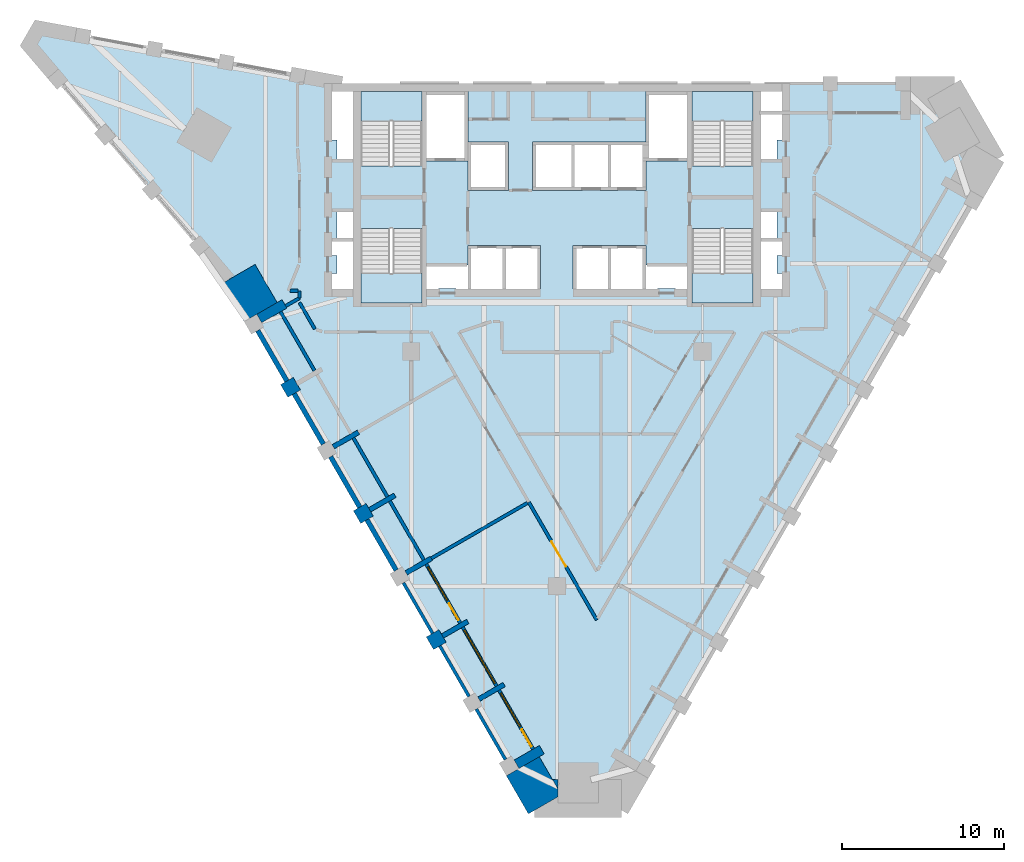
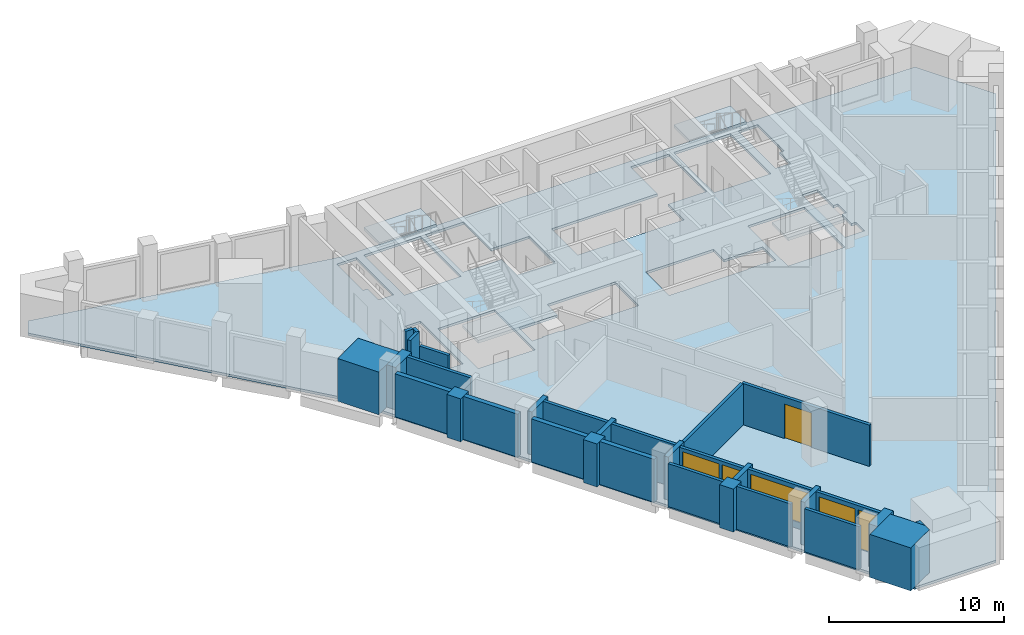
# One storey, part 2 of 9: 32 walls, 5 slabs, 3 doors, 3 windows, 6 openings, 4 elements without a shape of their own.
"""IFC4 building model written with IfcOpenShell, lengths in metres."""

from ifc_helpers import new_model, si_unit, direction, frame, frame_2d, origin, place, context, subcontext, project, spatial, polyline, rectangle, outline, extrude, material, layer, layer_set, type_object, element, fill, aggregate, save


model = new_model("IFC4")

# Units and contexts
model_context = context("Model", 3, precision=1e-05, world=origin(), true_north=direction((0.0, 1.0)))
body_context = subcontext(model_context, "Body", "Model", "MODEL_VIEW")
ifc_project = project(units=[si_unit("LENGTHUNIT", "METRE"), si_unit("AREAUNIT", "SQUARE_METRE"), si_unit("VOLUMEUNIT", "CUBIC_METRE"), si_unit("PLANEANGLEUNIT", "RADIAN"), si_unit("MASSUNIT", "GRAM", prefix="KILO")], contexts=[model_context])

# Site, building, storey
site_placement = place(None, origin())
site = spatial("IfcSite", under=ifc_project, at=site_placement, CompositionType="ELEMENT")
building_placement = place(site_placement, origin())
building = spatial("IfcBuilding", under=site, at=building_placement, Name="Calabash Gate Tower", CompositionType="ELEMENT")
storey_placement = place(building_placement, frame((0.0, 0.0, 200.300048828125)))
storey = spatial("IfcBuildingStorey", under=building, at=storey_placement, Name="L47", CompositionType="ELEMENT", Elevation=200.300048828125)

# Slab
ifc_material_1 = material(Name="Concrete C40/50", Category="concrete")
ifc_layer_1 = layer(ifc_material_1, 0.169921875)
ifc_layer_set_1 = layer_set([ifc_layer_1], Name="Composite floor slab 170 Concrete C40/50")
slab_type_1 = type_object("IfcSlabType", Name="Composite floor slab 170 Concrete C40/50", PredefinedType="FLOOR", material=ifc_layer_set_1)
slab_1_placement = place(storey_placement, frame((0.0, 0.0, -0.170166015625)))
element("IfcSlab", 1, at=slab_1_placement, inside=storey, type_object=slab_type_1, Name="Floor slab L47", PredefinedType="FLOOR", context=body_context, shape_type="SweptSolid", body=[
    extrude(outline(polyline([(3.99267578125, -25.83984375), (-1.372314453125, -25.83984375), (-20.291015625, 6.92822265625), (-32.620361328125, 21.43115234375), (-32.015625, 22.478515625), (-13.291015625, 19.052490234375), (24.54638671875, 19.052490234375), (27.22900390625, 14.40625), (3.99267578125, -25.83984375)]), holes=[polyline([(-7.324951171875, 6.3525390625), (-7.324951171875, 6.402587890625), (-6.22509765625, 6.402587890625), (-6.22509765625, 6.3525390625), (-5.5, 6.3525390625), (-3.25, 6.3525390625), (-1.0, 6.3525390625), (-1.0, 9.052490234375), (-3.25, 9.052490234375), (-5.5, 9.052490234375), (-5.5, 7.8525390625), (-8.050048828125, 7.8525390625), (-8.050048828125, 6.3525390625), (-7.324951171875, 6.3525390625)]), polyline([(8.050048828125, 6.3525390625), (8.050048828125, 7.8525390625), (5.5, 7.8525390625), (5.5, 9.052490234375), (3.25, 9.052490234375), (1.0, 9.052490234375), (1.0, 6.3525390625), (3.25, 6.3525390625), (5.5, 6.3525390625), (6.22509765625, 6.3525390625), (6.22509765625, 6.402587890625), (7.324951171875, 6.402587890625), (7.324951171875, 6.3525390625), (8.050048828125, 6.3525390625)]), polyline([(-8.050048828125, 18.552490234375), (-8.050048828125, 14.252685546875), (-5.5, 14.252685546875), (-5.5, 12.45263671875), (-3.0, 12.45263671875), (-3.0, 15.45263671875), (-5.5, 15.45263671875), (-5.5, 18.552490234375), (-8.050048828125, 18.552490234375)]), polyline([(5.5, 14.252685546875), (8.050048828125, 14.252685546875), (8.050048828125, 18.552490234375), (5.5, 18.552490234375), (5.5, 15.45263671875), (3.25, 15.45263671875), (1.0, 15.45263671875), (-1.5, 15.45263671875), (-1.5, 12.45263671875), (1.0, 12.45263671875), (3.25, 12.45263671875), (5.5, 12.45263671875), (5.5, 14.252685546875)]), polyline([(-12.10009765625, 13.95263671875), (-8.35009765625, 13.95263671875), (-8.35009765625, 18.552490234375), (-12.10009765625, 18.552490234375), (-12.10009765625, 13.95263671875)]), polyline([(-8.35009765625, 5.502685546875), (-8.35009765625, 10.1025390625), (-12.10009765625, 10.1025390625), (-12.10009765625, 5.502685546875), (-8.35009765625, 5.502685546875)]), polyline([(12.10009765625, 18.552490234375), (8.35009765625, 18.552490234375), (8.35009765625, 13.95263671875), (12.10009765625, 13.95263671875), (12.10009765625, 18.552490234375)]), polyline([(8.35009765625, 10.1025390625), (8.35009765625, 5.502685546875), (12.10009765625, 5.502685546875), (12.10009765625, 10.1025390625), (8.35009765625, 10.1025390625)]), polyline([(-13.89990234375, 6.3525390625), (-12.60009765625, 6.3525390625), (-12.60009765625, 9.402587890625), (-12.60009765625, 11.232666015625), (-13.60009765625, 11.232666015625), (-13.60009765625, 9.402587890625), (-13.89990234375, 9.402587890625), (-13.89990234375, 8.427490234375), (-13.60009765625, 8.427490234375), (-13.60009765625, 7.32763671875), (-13.89990234375, 7.32763671875), (-13.89990234375, 6.3525390625)]), polyline([(-13.60009765625, 14.28271484375), (-12.60009765625, 14.28271484375), (-12.60009765625, 18.552490234375), (-13.89990234375, 18.552490234375), (-13.89990234375, 15.550048828125), (-13.60009765625, 15.550048828125), (-13.60009765625, 14.28271484375)]), polyline([(13.60009765625, 7.32763671875), (13.60009765625, 8.427490234375), (13.89990234375, 8.427490234375), (13.89990234375, 9.402587890625), (13.60009765625, 9.402587890625), (13.60009765625, 11.232666015625), (12.60009765625, 11.232666015625), (12.60009765625, 9.402587890625), (12.60009765625, 6.3525390625), (13.89990234375, 6.3525390625), (13.89990234375, 7.32763671875), (13.60009765625, 7.32763671875)]), polyline([(12.60009765625, 14.28271484375), (13.60009765625, 14.28271484375), (13.60009765625, 15.550048828125), (13.89990234375, 15.550048828125), (13.89990234375, 18.552490234375), (12.60009765625, 18.552490234375), (12.60009765625, 14.28271484375)])]), origin(), (0.0, 0.0, 1.0), 0.170166015625),
])

# Stair, slab
ifc_material_2 = material(Name="Concrete C40/50", Category="concrete")
stair_type = type_object("IfcStairType", Name="Exit stair 22 risers of 177.3 mm", PredefinedType="HALF_TURN_STAIR", material=ifc_material_2)
stair_1_placement = place(storey_placement, origin())
stair_1 = element("IfcStair", 2, at=stair_1_placement, inside=storey, type_object=stair_type, Name="L47 Exit stair ST1", PredefinedType="HALF_TURN_STAIR")
ifc_material_3 = material(Name="Concrete C40/50", Category="concrete")
ifc_layer_2 = layer(ifc_material_3, 0.199951171875)
ifc_layer_set_2 = layer_set([ifc_layer_2], Name="Stair landing SL200")
slab_type_2 = type_object("IfcSlabType", Name="Stair landing SL200", PredefinedType="LANDING", material=ifc_layer_set_2)
slab_2_placement = place(storey_placement, frame((0.0, 0.0, 1.75)))
slab_2 = element("IfcSlab", 3, at=slab_2_placement, type_object=slab_type_2, Name="ST1 landing 1", PredefinedType="LANDING", context=body_context, shape_type="SweptSolid", body=[
    extrude(outline(polyline([(-8.35009765625, 16.74267578125), (-8.35009765625, 18.552490234375), (-12.10009765625, 18.552490234375), (-12.10009765625, 16.74267578125), (-8.35009765625, 16.74267578125)])), origin(), (0.0, 0.0, 1.0), 0.199951171875),
])
aggregate(stair_1, [slab_2])

stair_2_placement = place(storey_placement, origin())
stair_2 = element("IfcStair", 4, at=stair_2_placement, inside=storey, type_object=stair_type, Name="L47 Exit stair ST2", PredefinedType="HALF_TURN_STAIR")
slab_3_placement = place(storey_placement, frame((0.0, 0.0, 1.75)))
slab_3 = element("IfcSlab", 5, at=slab_3_placement, type_object=slab_type_2, Name="ST2 landing 1", PredefinedType="LANDING", context=body_context, shape_type="SweptSolid", body=[
    extrude(outline(polyline([(-12.10009765625, 7.3125), (-12.10009765625, 5.502685546875), (-8.35009765625, 5.502685546875), (-8.35009765625, 7.3125), (-12.10009765625, 7.3125)])), origin(), (0.0, 0.0, 1.0), 0.199951171875),
])
aggregate(stair_2, [slab_3])

stair_3_placement = place(storey_placement, origin())
stair_3 = element("IfcStair", 6, at=stair_3_placement, inside=storey, type_object=stair_type, Name="L47 Exit stair ST3", PredefinedType="HALF_TURN_STAIR")
slab_4_placement = place(storey_placement, frame((0.0, 0.0, 1.75)))
slab_4 = element("IfcSlab", 7, at=slab_4_placement, type_object=slab_type_2, Name="ST3 landing 1", PredefinedType="LANDING", context=body_context, shape_type="SweptSolid", body=[
    extrude(outline(polyline([(12.10009765625, 16.74267578125), (12.10009765625, 18.552490234375), (8.35009765625, 18.552490234375), (8.35009765625, 16.74267578125), (12.10009765625, 16.74267578125)])), origin(), (0.0, 0.0, 1.0), 0.199951171875),
])
aggregate(stair_3, [slab_4])

stair_4_placement = place(storey_placement, origin())
stair_4 = element("IfcStair", 8, at=stair_4_placement, inside=storey, type_object=stair_type, Name="L47 Exit stair ST4", PredefinedType="HALF_TURN_STAIR")
slab_5_placement = place(storey_placement, frame((0.0, 0.0, 1.75)))
slab_5 = element("IfcSlab", 9, at=slab_5_placement, type_object=slab_type_2, Name="ST4 landing 1", PredefinedType="LANDING", context=body_context, shape_type="SweptSolid", body=[
    extrude(outline(polyline([(8.35009765625, 7.3125), (8.35009765625, 5.502685546875), (12.10009765625, 5.502685546875), (12.10009765625, 7.3125), (8.35009765625, 7.3125)])), origin(), (0.0, 0.0, 1.0), 0.199951171875),
])
aggregate(stair_4, [slab_5])

# Walls
ifc_material_4 = material(Name="Terracotta brick masonry, exposed face", Category="masonry")
ifc_layer_3 = layer(ifc_material_4, 2.35009765625)
ifc_layer_set_3 = layer_set([ifc_layer_3], Name="Brick corner mass wall 2350")
wall_type_1 = type_object("IfcWallType", Name="Brick corner mass wall 2350", PredefinedType="SOLIDWALL", material=ifc_layer_set_3)
wall_1_placement = place(storey_placement, origin())
element("IfcWall", 10, at=wall_1_placement, inside=storey, type_object=wall_type_1, Name="Brick corner pier S13 1", PredefinedType="SOLIDWALL", context=body_context, shape_type="SweptSolid", body=[
    extrude(outline(polyline([(-20.6806640625, 6.703125), (-19.3212890625, 4.348876953125), (-18.542236328125, 4.798828125), (-18.542236328125, 4.798583984375), (-17.2861328125, 5.523681640625), (-18.6455078125, 7.878173828125), (-20.6806640625, 6.703125)])), origin(), (0.0, 0.0, 1.0), 2.973388671875),
])
wall_2_placement = place(storey_placement, origin())
element("IfcWall", 11, at=wall_2_placement, inside=storey, type_object=wall_type_1, Name="Brick corner pier S13 2a", PredefinedType="SOLIDWALL", context=body_context, shape_type="SweptSolid", body=[
    extrude(outline(polyline([(0.06005859375, -24.520751953125), (-1.086181640625, -22.535400390625), (-3.121337890625, -23.71044921875), (-1.761962890625, -26.06494140625), (0.06005859375, -25.012939453125), (0.06005859375, -24.520751953125)])), origin(), (0.0, 0.0, 1.0), 3.0),
])
wall_3_placement = place(storey_placement, origin())
element("IfcWall", 12, at=wall_3_placement, inside=storey, type_object=wall_type_1, Name="Brick corner pier S13 2bb", PredefinedType="SOLIDWALL", context=body_context, shape_type="SweptSolid", body=[
    extrude(outline(polyline([(-0.275390625, -23.93994140625), (0.06005859375, -24.520751953125), (0.06005859375, -23.93994140625), (-0.275390625, -23.93994140625)])), origin(), (0.0, 0.0, 1.0), 3.0),
])
ifc_material_5 = material(Name="Terracotta brick masonry, exposed face", Category="masonry")
ifc_layer_4 = layer(ifc_material_5, 0.89990234375)
ifc_layer_set_4 = layer_set([ifc_layer_4], Name="Brick end wall 900")
wall_type_2 = type_object("IfcWallType", Name="Brick end wall 900", PredefinedType="SOLIDWALL", material=ifc_layer_set_4)
for number, where, z_axis, x_axis, name in (
    (13, (-16.06689453125, 0.511962890625, 0.0), (0.0, 0.0, 1.0), (-0.866013897511, -0.50001992892, 0.0), "Brick pier S13 SW0.1"),
    (14, (-12.181640625, -7.11767578125, 0.0), (0.0, 0.0, 1.0), (0.50001992892, -0.866013897511, 0.0), "Brick pier S13 SW0.3"),
    (15, (-7.06689453125, -15.07666015625, 0.0), (0.0, 0.0, 1.0), (-0.866013897511, -0.50001992892, 0.0), "Brick pier S13 SW0.5"),
):
    element("IfcWall", number, at=place(storey_placement, frame(where, z_axis=z_axis, x_axis=x_axis)), inside=storey, type_object=wall_type_2, Name=name, PredefinedType="SOLIDWALL", context=body_context, shape_type="SweptSolid", body=[
        extrude(rectangle(XDim=0.89990234375, YDim=0.89990234375, at=frame_2d((0.449951171875, 0.0))), origin(), (0.0, 0.0, 1.0), 3.0),
    ])
ifc_material_6 = material(Name="Terracotta brick masonry, exposed face", Category="masonry")
ifc_layer_5 = layer(ifc_material_6, 0.300048828125)
ifc_layer_set_5 = layer_set([ifc_layer_5], Name="Brick infill panel wall 300")
wall_type_3 = type_object("IfcWallType", Name="Brick infill panel wall 300", PredefinedType="SOLIDWALL", material=ifc_layer_set_5)
wall_4_placement = place(storey_placement, frame((-18.481689453125, 3.79443359375, 0.0), z_axis=(0.0, 0.0, 1.0), x_axis=(0.499982693035, -0.866035395735, 0.0)))
element("IfcWall", 16, at=wall_4_placement, inside=storey, type_object=wall_type_3, Name="Brick panel S13 SW0.1", PredefinedType="SOLIDWALL", context=body_context, shape_type="SweptSolid", body=[
    extrude(rectangle(XDim=3.600341796875, YDim=0.300048828125, at=frame_2d((1.80029296875, 0.0))), origin(), (0.0, 0.0, 1.0), 3.0),
])
wall_5_placement = place(storey_placement, frame((-16.231689453125, -0.102783203125, 0.0), z_axis=(0.0, 0.0, 1.0), x_axis=(0.499990559667, -0.866030854095, 0.0)))
element("IfcWall", 17, at=wall_5_placement, inside=storey, type_object=wall_type_3, Name="Brick panel S13 SW0.2", PredefinedType="SOLIDWALL", context=body_context, shape_type="SweptSolid", body=[
    extrude(rectangle(XDim=3.599609375, YDim=0.300048828125, at=frame_2d((1.7998046875, 0.0))), origin(), (0.0, 0.0, 1.0), 3.0),
])
wall_6_placement = place(storey_placement, frame((-13.981689453125, -4.0, 0.0), z_axis=(0.0, 0.0, 1.0), x_axis=(0.500012057535, -0.866018442252, 0.0)))
element("IfcWall", 18, at=wall_6_placement, inside=storey, type_object=wall_type_3, Name="Brick panel S13 SW0.3", PredefinedType="SOLIDWALL", context=body_context, shape_type="SweptSolid", body=[
    extrude(rectangle(XDim=3.60009765625, YDim=0.300048828125, at=frame_2d((1.800048828125, 0.0))), origin(), (0.0, 0.0, 1.0), 3.0),
])
wall_7_placement = place(storey_placement, frame((-9.931884765625, -11.01416015625, 0.0), z_axis=(0.0, 0.0, 1.0), x_axis=(-0.50001992892, 0.866013897511, 0.0)))
element("IfcWall", 19, at=wall_7_placement, inside=storey, type_object=wall_type_3, Name="Brick panel S13 SW0.4", PredefinedType="SOLIDWALL", context=body_context, shape_type="SweptSolid", body=[
    extrude(rectangle(XDim=3.599365234375, YDim=0.300048828125, at=frame_2d((1.7998046875, 0.0))), origin(), (0.0, 0.0, 1.0), 3.0),
])
ifc_material_7 = material(Name="Terracotta brick masonry, exposed face", Category="masonry")
ifc_layer_6 = layer(ifc_material_7, 0.300048828125)
ifc_layer_set_6 = layer_set([ifc_layer_6], Name="Brick loggia cheek wall 300")
wall_type_4 = type_object("IfcWallType", Name="Brick loggia cheek wall 300", PredefinedType="SOLIDWALL", material=ifc_layer_set_6)
wall_8_placement = place(storey_placement, frame((-16.8330078125, 5.43896484375, 0.0), z_axis=(0.0, 0.0, 1.0), x_axis=(-0.865989075817, -0.500062916607, 0.0)))
element("IfcWall", 20, at=wall_8_placement, inside=storey, type_object=wall_type_4, Name="Loggia cheek S13 SW0.0", PredefinedType="SOLIDWALL", context=body_context, shape_type="SweptSolid", body=[
    extrude(rectangle(XDim=1.800048828125, YDim=0.60009765625, at=frame_2d((0.89990234375, 0.0))), origin(), (0.0, 0.0, 1.0), 2.949951171875),
])
for number, where, z_axis, x_axis, name in (
    (21, (-13.81689453125, -3.38525390625, 0.0), (0.0, 0.0, 1.0), (0.865989075817, 0.500062916607, 0.0), "Loggia cheek S13 SW0.2"),
    (22, (-11.56689453125, -7.2822265625, 0.0), (0.0, 0.0, 1.0), (0.866047807691, 0.499961193289, 0.0), "Loggia cheek S13 SW0.3"),
    (23, (-9.31689453125, -11.179443359375, 0.0), (0.0, 0.0, 1.0), (0.866047807691, 0.499961193289, 0.0), "Loggia cheek S13 SW0.4"),
    (24, (-7.06689453125, -15.07666015625, 0.0), (0.0, 0.0, 1.0), (0.865989075817, 0.500062916607, 0.0), "Loggia cheek S13 SW0.5"),
    (25, (-4.81689453125, -18.9736328125, 0.0), (0.0, 0.0, 1.0), (0.866047807691, 0.499961193289, 0.0), "Loggia cheek S13 SW0.6"),
):
    element("IfcWall", number, at=place(storey_placement, frame(where, z_axis=z_axis, x_axis=x_axis)), inside=storey, type_object=wall_type_4, Name=name, PredefinedType="SOLIDWALL", context=body_context, shape_type="SweptSolid", body=[
        extrude(rectangle(XDim=1.800048828125, YDim=0.300048828125, at=frame_2d((0.89990234375, 0.0))), origin(), (0.0, 0.0, 1.0), 3.0),
    ])
wall_9_placement = place(storey_placement, frame((-2.491943359375, -23.000732421875, 0.0), z_axis=(0.0, 0.0, 1.0), x_axis=(0.865989075817, 0.500062916607, 0.0)))
element("IfcWall", 26, at=wall_9_placement, inside=storey, type_object=wall_type_4, Name="Loggia cheek S13 SW0.7", PredefinedType="SOLIDWALL", context=body_context, shape_type="SweptSolid", body=[
    extrude(rectangle(XDim=1.800048828125, YDim=0.60009765625, at=frame_2d((0.89990234375, 0.0))), origin(), (0.0, 0.0, 1.0), 3.0),
])

# Wall, opening, door
ifc_material_8 = material(Name="Gypsum board on steel studs, mineral wool", Category="steel")
ifc_layer_7 = layer(ifc_material_8, 0.199951171875)
ifc_layer_set_7 = layer_set([ifc_layer_7], Name="Partition 200 gypsum board EI 60")
wall_type_5 = type_object("IfcWallType", Name="Partition 200 gypsum board EI 60", PredefinedType="PARTITIONING", material=ifc_layer_set_7)
wall_10_placement = place(storey_placement, frame((-1.740478515625, -6.805908203125, 0.0), z_axis=(0.0, 0.0, 1.0), x_axis=(0.500136329277, -0.865946679731, 0.0)))
wall_10 = element("IfcWall", 27, at=wall_10_placement, inside=storey, type_object=wall_type_5, Name="Partition", PredefinedType="PARTITIONING", context=body_context, shape_type="SweptSolid", body=[
    extrude(rectangle(XDim=8.407958984375, YDim=0.199951171875, at=frame_2d((4.2041015625, 0.0))), origin(), (0.0, 0.0, 1.0), 2.884033203125),
])
opening_1_placement = place(wall_10_placement, frame((2.803955078125, 0.0, 0.0)))
opening_1 = element("IfcOpeningElement", 28, at=opening_1_placement, cuts=wall_10, Name="Opening 46-48-012", PredefinedType="OPENING", context=body_context, shape_type="SweptSolid", body=[
    extrude(rectangle(XDim=1.800048828125, YDim=2.39990234375, at=frame_2d((0.89990234375, 1.199951171875))), frame((0.0, 0.10986328125, 0.0), z_axis=(0.0, -1.0, 0.0), x_axis=(1.0, 0.0, 0.0)), (0.0, 0.0, 1.0), 0.219970703125),
])
ifc_material_9 = material(Name="Steel fire door set with fire-resisting glazing", Category="steel")
door_type_1 = type_object("IfcDoorType", Name="OD5 Open office double door 1800x2400", OperationType="NOTDEFINED", PredefinedType="DOOR", material=ifc_material_9)
door_1_placement = place(opening_1_placement, origin())
door_1 = element("IfcDoor", 29, at=door_1_placement, inside=storey, type_object=door_type_1, Name="Open office double door", OperationType="DOUBLE_DOOR_SINGLE_SWING", OverallHeight=2.39990234375, OverallWidth=1.800048828125, PredefinedType="DOOR", context=body_context, shape_type="SweptSolid", body=[
    extrude(rectangle(XDim=1.800048828125, YDim=2.39990234375, at=frame_2d((0.89990234375, 1.199951171875))), frame((0.0, 0.02490234375, 0.0), z_axis=(0.0, -1.0, 0.0), x_axis=(1.0, 0.0, 0.0)), (0.0, 0.0, 1.0), 0.050048828125),
])
fill(opening_1, door_1)

# Walls
wall_11_placement = place(storey_placement, frame((-7.7578125, -10.27978515625, 0.0), z_axis=(0.0, 0.0, 1.0), x_axis=(0.866142857868, 0.499796508355, 0.0)))
element("IfcWall", 30, at=wall_11_placement, inside=storey, type_object=wall_type_5, Name="Partition", PredefinedType="PARTITIONING", context=body_context, shape_type="SweptSolid", body=[
    extrude(rectangle(XDim=6.849365234375, YDim=0.199951171875, at=frame_2d((3.4248046875, 0.0))), origin(), (0.0, 0.0, 1.0), 2.884033203125),
])
wall_12_placement = place(storey_placement, frame((-15.900390625, 5.522705078125, 0.0), z_axis=(0.0, 0.0, 1.0), x_axis=(0.499998034377, -0.866026538634, 0.0)))
element("IfcWall", 31, at=wall_12_placement, inside=storey, type_object=wall_type_5, Name="Partition", PredefinedType="PARTITIONING", context=body_context, shape_type="SweptSolid", body=[
    extrude(rectangle(XDim=1.8916015625, YDim=0.199951171875, at=frame_2d((0.94580078125, 0.0))), origin(), (0.0, 0.0, 1.0), 2.949951171875),
])
wall_13_placement = place(storey_placement, frame((-15.904296875, 6.251953125, 0.0), z_axis=(0.0, 0.0, 1.0), x_axis=(0.00490992445, -0.999987946248, 0.0)))
element("IfcWall", 32, at=wall_13_placement, inside=storey, type_object=wall_type_5, Name="Partition", PredefinedType="PARTITIONING", context=body_context, shape_type="SweptSolid", body=[
    extrude(rectangle(XDim=0.447509765625, YDim=0.199951171875, at=frame_2d((0.2236328125, 0.0))), origin(), (0.0, 0.0, 1.0), 3.72998046875),
])
wall_14_placement = place(storey_placement, frame((-16.7578125, 5.308837890625, 0.0), z_axis=(0.0, 0.0, 1.0), x_axis=(0.866948968756, 0.498396915694, 0.0)))
element("IfcWall", 33, at=wall_14_placement, inside=storey, type_object=wall_type_5, Name="Partition", PredefinedType="PARTITIONING", context=body_context, shape_type="SweptSolid", body=[
    extrude(rectangle(XDim=0.989013671875, YDim=0.199951171875, at=frame_2d((0.49462890625, 0.0))), origin(), (0.0, 0.0, 1.0), 3.72998046875),
])
wall_15_placement = place(storey_placement, frame((-16.50048828125, 6.25244140625, 0.0), z_axis=(0.0, 0.0, 1.0), x_axis=(0.999999880791, -0.000488281192, 0.0)))
element("IfcWall", 34, at=wall_15_placement, inside=storey, type_object=wall_type_5, Name="Partition", PredefinedType="PARTITIONING", context=body_context, shape_type="SweptSolid", body=[
    extrude(rectangle(XDim=0.5, YDim=0.199951171875, at=frame_2d((0.25, 0.0))), origin(), (0.0, 0.0, 1.0), 3.72998046875),
])
ifc_material_10 = material(Name="Terracotta brick masonry, perforated", Category="masonry")
ifc_layer_8 = layer(ifc_material_10, 0.199951171875)
ifc_layer_set_8 = layer_set([ifc_layer_8], Name="Terracotta jaali screen A")
wall_type_6 = type_object("IfcWallType", Name="Terracotta jaali screen A", PredefinedType="SOLIDWALL", material=ifc_layer_set_8)
for number, where, z_axis, x_axis, name in (
    (35, (-9.481689453125, -11.794189453125, 0.0), (0.0, 0.0, 1.0), (0.500012057535, -0.866018442252, 0.0), "SCREEN A S13 SW0.5"),
    (36, (-7.231689453125, -15.691162109375, 0.0), (0.0, 0.0, 1.0), (0.500012057535, -0.866018442252, 0.0), "SCREEN A S13 SW0.6"),
    (37, (-4.981689453125, -19.58837890625, 0.0), (0.0, 0.0, 1.0), (0.500012057535, -0.866018442252, 0.0), "SCREEN A S13 SW0.7"),
):
    element("IfcWall", number, at=place(storey_placement, frame(where, z_axis=z_axis, x_axis=x_axis)), inside=storey, type_object=wall_type_6, Name=name, PredefinedType="SOLIDWALL", context=body_context, shape_type="SweptSolid", body=[
        extrude(rectangle(XDim=3.60009765625, YDim=0.199951171875, at=frame_2d((1.800048828125, 0.0))), origin(), (0.0, 0.0, 1.0), 3.0),
    ])
ifc_material_11 = material(Name="Aluminium framed window wall with insulated spandrel", Category="aluminium")
ifc_layer_9 = layer(ifc_material_11, 0.199951171875)
ifc_layer_set_9 = layer_set([ifc_layer_9], Name="Window wall 200")
wall_type_7 = type_object("IfcWallType", Name="Window wall 200", PredefinedType="ELEMENTEDWALL", material=ifc_layer_set_9)
wall_16_placement = place(storey_placement, frame((-17.07275390625, 4.9541015625, 0.0), z_axis=(0.0, 0.0, 1.0), x_axis=(0.500027713859, -0.866009402589, 0.0)))
element("IfcWall", 38, at=wall_16_placement, inside=storey, type_object=wall_type_7, Name="Window wall S13 SW0.1", PredefinedType="ELEMENTEDWALL", context=body_context, shape_type="SweptSolid", body=[
    extrude(rectangle(XDim=4.199951171875, YDim=0.199951171875, at=frame_2d((2.10009765625, 0.0))), origin(), (0.0, 0.0, 1.0), 2.949951171875),
])
for number, where, z_axis, x_axis, name in (
    (39, (-12.57275390625, -2.840087890625, 0.0), (0.0, 0.0, 1.0), (0.500027713859, -0.866009402589, 0.0), "Window wall S13 SW0.3"),
    (40, (-10.32275390625, -6.7373046875, 0.0), (0.0, 0.0, 1.0), (0.500027713859, -0.866009402589, 0.0), "Window wall S13 SW0.4"),
):
    element("IfcWall", number, at=place(storey_placement, frame(where, z_axis=z_axis, x_axis=x_axis)), inside=storey, type_object=wall_type_7, Name=name, PredefinedType="ELEMENTEDWALL", context=body_context, shape_type="SweptSolid", body=[
        extrude(rectangle(XDim=4.199951171875, YDim=0.199951171875, at=frame_2d((2.10009765625, 0.0))), origin(), (0.0, 0.0, 1.0), 3.0),
    ])

# Wall, openings, door, window
wall_17_placement = place(storey_placement, frame((-8.07275390625, -10.63427734375, 0.0), z_axis=(0.0, 0.0, 1.0), x_axis=(0.500002543286, -0.866023935413, 0.0)))
wall_17 = element("IfcWall", 41, at=wall_17_placement, inside=storey, type_object=wall_type_7, Name="Window wall S13 SW0.5", PredefinedType="ELEMENTEDWALL", context=body_context, shape_type="SweptSolid", body=[
    extrude(rectangle(XDim=4.2001953125, YDim=0.199951171875, at=frame_2d((2.10009765625, 0.0))), origin(), (0.0, 0.0, 1.0), 2.949951171875),
])
opening_2_placement = place(wall_17_placement, frame((0.199951171875, 0.0, 0.449951171875)))
opening_2 = element("IfcOpeningElement", 42, at=opening_2_placement, cuts=wall_17, Name="Opening OW1", PredefinedType="OPENING", context=body_context, shape_type="SweptSolid", body=[
    extrude(rectangle(XDim=2.39990234375, YDim=2.25, at=frame_2d((1.199951171875, 1.125))), frame((0.0, 0.10986328125, 0.0), z_axis=(0.0, -1.0, 0.0), x_axis=(1.0, 0.0, 0.0)), (0.0, 0.0, 1.0), 0.219970703125),
])
opening_3_placement = place(wall_17_placement, frame((2.800048828125, 0.0, 0.0)))
opening_3 = element("IfcOpeningElement", 43, at=opening_3_placement, cuts=wall_17, Name="Opening O5-026", PredefinedType="OPENING", context=body_context, shape_type="SweptSolid", body=[
    extrude(rectangle(XDim=1.199951171875, YDim=2.699951171875, at=frame_2d((0.60009765625, 1.35009765625))), frame((0.0, 0.10986328125, 0.0), z_axis=(0.0, -1.0, 0.0), x_axis=(1.0, 0.0, 0.0)), (0.0, 0.0, 1.0), 0.219970703125),
])
ifc_material_12 = material(Name="Anodised aluminium frame, bronze finish, impact-rated laminated clear glazing", Category="aluminium")
door_type_2 = type_object("IfcDoorType", Name="Loggia door DO1 1200x2700", OperationType="SLIDING_TO_LEFT", PredefinedType="DOOR", material=ifc_material_12)
door_2_placement = place(opening_3_placement, origin())
door_2 = element("IfcDoor", 44, at=door_2_placement, inside=storey, type_object=door_type_2, Name="Loggia door S13 SW0.5", OperationType="SINGLE_SWING_LEFT", OverallHeight=2.699951171875, OverallWidth=1.199951171875, PredefinedType="DOOR", context=body_context, shape_type="SweptSolid", body=[
    extrude(rectangle(XDim=1.199951171875, YDim=2.699951171875, at=frame_2d((0.60009765625, 1.35009765625))), frame((0.0, 0.02490234375, 0.0), z_axis=(0.0, -1.0, 0.0), x_axis=(1.0, 0.0, 0.0)), (0.0, 0.0, 1.0), 0.050048828125),
])
fill(opening_3, door_2)
ifc_material_13 = material(Name="Anodised aluminium frame, bronze finish, impact-rated laminated clear glazing", Category="aluminium")
window_type_1 = type_object("IfcWindowType", Name="Window OW1 2400x2250", PartitioningType="DOUBLE_PANEL_VERTICAL", PredefinedType="WINDOW", material=ifc_material_13)
window_1_placement = place(opening_2_placement, origin())
window_1 = element("IfcWindow", 45, at=window_1_placement, inside=storey, type_object=window_type_1, Name="Window OW1 S13 SW0.5", OverallHeight=2.25, OverallWidth=2.39990234375, PartitioningType="SINGLE_PANEL", PredefinedType="WINDOW", context=body_context, shape_type="SweptSolid", body=[
    extrude(rectangle(XDim=2.39990234375, YDim=2.25, at=frame_2d((1.199951171875, 1.125))), frame((0.0, 0.030029296875, 0.0), z_axis=(0.0, -1.0, 0.0), x_axis=(1.0, 0.0, 0.0)), (0.0, 0.0, 1.0), 0.06005859375),
])
fill(opening_2, window_1)

# Wall, opening, window
wall_18_placement = place(storey_placement, frame((-5.82275390625, -14.531494140625, 0.0), z_axis=(0.0, 0.0, 1.0), x_axis=(0.500027713859, -0.866009402589, 0.0)))
wall_18 = element("IfcWall", 46, at=wall_18_placement, inside=storey, type_object=wall_type_7, Name="Window wall S13 SW0.6", PredefinedType="ELEMENTEDWALL", context=body_context, shape_type="SweptSolid", body=[
    extrude(rectangle(XDim=4.199951171875, YDim=0.199951171875, at=frame_2d((2.10009765625, 0.0))), origin(), (0.0, 0.0, 1.0), 3.0),
])
opening_4_placement = place(wall_18_placement, frame((0.199951171875, 0.0, 0.449951171875)))
opening_4 = element("IfcOpeningElement", 47, at=opening_4_placement, cuts=wall_18, Name="Opening OW2", PredefinedType="OPENING", context=body_context, shape_type="SweptSolid", body=[
    extrude(rectangle(XDim=3.800048828125, YDim=2.25, at=frame_2d((1.89990234375, 1.125))), frame((0.0, 0.10986328125, 0.0), z_axis=(0.0, -1.0, 0.0), x_axis=(1.0, 0.0, 0.0)), (0.0, 0.0, 1.0), 0.219970703125),
])
ifc_material_14 = material(Name="Anodised aluminium frame, bronze finish, impact-rated laminated clear glazing", Category="aluminium")
window_type_2 = type_object("IfcWindowType", Name="Window OW2 3800x2250", PartitioningType="TRIPLE_PANEL_VERTICAL", PredefinedType="WINDOW", material=ifc_material_14)
window_2_placement = place(opening_4_placement, origin())
window_2 = element("IfcWindow", 48, at=window_2_placement, inside=storey, type_object=window_type_2, Name="Window OW2 S13 SW0.6", OverallHeight=2.25, OverallWidth=3.800048828125, PartitioningType="SINGLE_PANEL", PredefinedType="WINDOW", context=body_context, shape_type="SweptSolid", body=[
    extrude(rectangle(XDim=3.800048828125, YDim=2.25, at=frame_2d((1.89990234375, 1.125))), frame((0.0, 0.030029296875, 0.0), z_axis=(0.0, -1.0, 0.0), x_axis=(1.0, 0.0, 0.0)), (0.0, 0.0, 1.0), 0.06005859375),
])
fill(opening_4, window_2)

# Wall, openings, door, window
wall_19_placement = place(storey_placement, frame((-3.57275390625, -18.428466796875, 0.0), z_axis=(0.0, 0.0, 1.0), x_axis=(0.500002543286, -0.866023935413, 0.0)))
wall_19 = element("IfcWall", 49, at=wall_19_placement, inside=storey, type_object=wall_type_7, Name="Window wall S13 SW0.7", PredefinedType="ELEMENTEDWALL", context=body_context, shape_type="SweptSolid", body=[
    extrude(rectangle(XDim=4.2001953125, YDim=0.199951171875, at=frame_2d((2.10009765625, 0.0))), origin(), (0.0, 0.0, 1.0), 3.0),
])
opening_5_placement = place(wall_19_placement, frame((0.199951171875, 0.0, 0.449951171875)))
opening_5 = element("IfcOpeningElement", 50, at=opening_5_placement, cuts=wall_19, Name="Opening OW1", PredefinedType="OPENING", context=body_context, shape_type="SweptSolid", body=[
    extrude(rectangle(XDim=2.39990234375, YDim=2.25, at=frame_2d((1.199951171875, 1.125))), frame((0.0, 0.10986328125, 0.0), z_axis=(0.0, -1.0, 0.0), x_axis=(1.0, 0.0, 0.0)), (0.0, 0.0, 1.0), 0.219970703125),
])
opening_6_placement = place(wall_19_placement, frame((2.800048828125, 0.0, 0.0)))
opening_6 = element("IfcOpeningElement", 51, at=opening_6_placement, cuts=wall_19, Name="Opening O5-027", PredefinedType="OPENING", context=body_context, shape_type="SweptSolid", body=[
    extrude(rectangle(XDim=1.199951171875, YDim=2.699951171875, at=frame_2d((0.60009765625, 1.35009765625))), frame((0.0, 0.10986328125, 0.0), z_axis=(0.0, -1.0, 0.0), x_axis=(1.0, 0.0, 0.0)), (0.0, 0.0, 1.0), 0.219970703125),
])
door_3_placement = place(opening_6_placement, origin())
door_3 = element("IfcDoor", 52, at=door_3_placement, inside=storey, type_object=door_type_2, Name="Loggia door S13 SW0.7", OperationType="SINGLE_SWING_LEFT", OverallHeight=2.699951171875, OverallWidth=1.199951171875, PredefinedType="DOOR", context=body_context, shape_type="SweptSolid", body=[
    extrude(rectangle(XDim=1.199951171875, YDim=2.699951171875, at=frame_2d((0.60009765625, 1.35009765625))), frame((0.0, 0.02490234375, 0.0), z_axis=(0.0, -1.0, 0.0), x_axis=(1.0, 0.0, 0.0)), (0.0, 0.0, 1.0), 0.050048828125),
])
fill(opening_6, door_3)
window_3_placement = place(opening_5_placement, origin())
window_3 = element("IfcWindow", 53, at=window_3_placement, inside=storey, type_object=window_type_1, Name="Window OW1 S13 SW0.7", OverallHeight=2.25, OverallWidth=2.39990234375, PartitioningType="SINGLE_PANEL", PredefinedType="WINDOW", context=body_context, shape_type="SweptSolid", body=[
    extrude(rectangle(XDim=2.39990234375, YDim=2.25, at=frame_2d((1.199951171875, 1.125))), frame((0.0, 0.030029296875, 0.0), z_axis=(0.0, -1.0, 0.0), x_axis=(1.0, 0.0, 0.0)), (0.0, 0.0, 1.0), 0.06005859375),
])
fill(opening_5, window_3)

save(model, "model.ifc")
